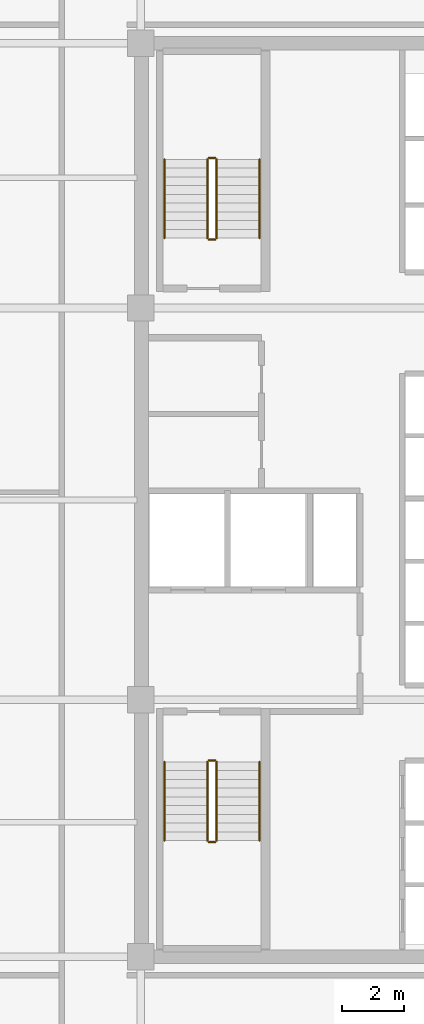
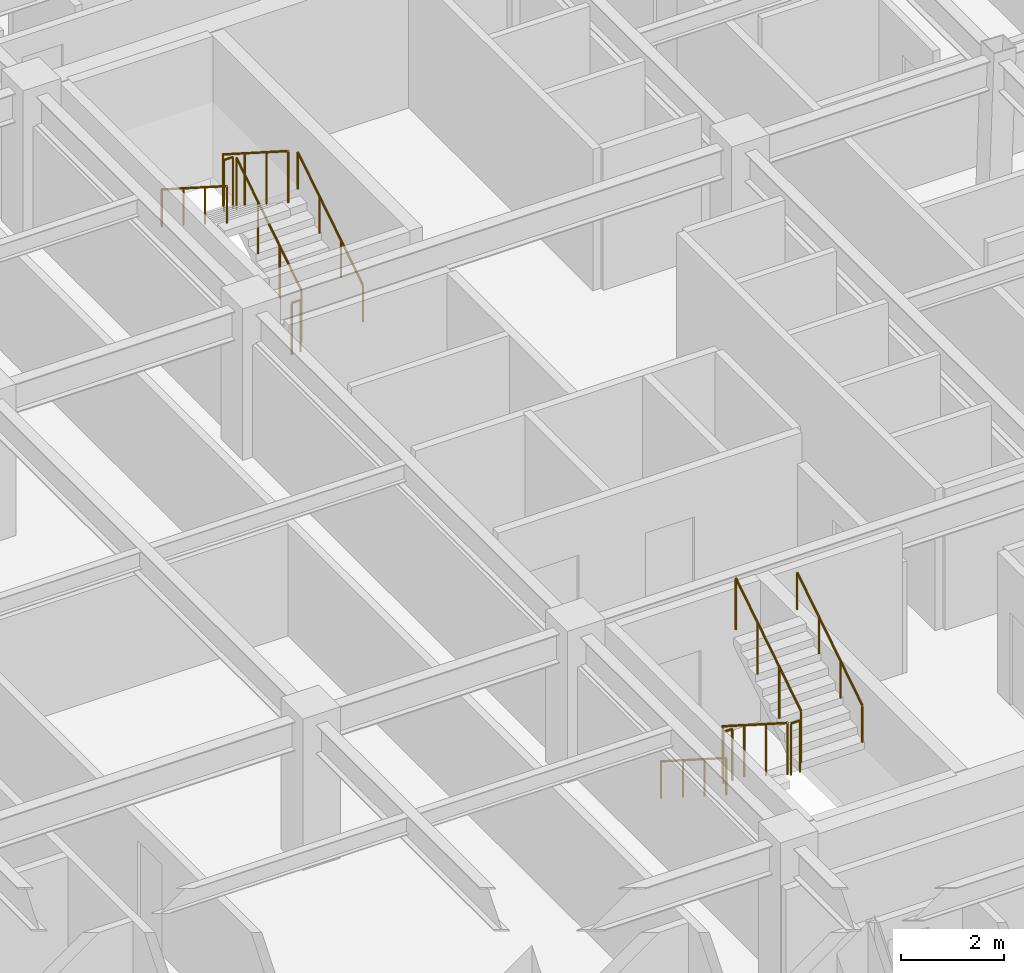
# One storey, part 12 of 12: 12 railings.
"""IFC4 building model written with IfcOpenShell, lengths in metres."""

from ifc_helpers import new_model, si_unit, direction, frame, origin, origin_2d, place, context, subcontext, project, spatial, circle, extrude, material, type_object, element, save


model = new_model("IFC4")

# Units and contexts
model_context = context("Model", 3, precision=1e-05, world=origin(), true_north=direction((0.0, 1.0)))
body_context = subcontext(model_context, "Body", "Model", "MODEL_VIEW")
ifc_project = project(units=[si_unit("LENGTHUNIT", "METRE"), si_unit("AREAUNIT", "SQUARE_METRE"), si_unit("VOLUMEUNIT", "CUBIC_METRE"), si_unit("PLANEANGLEUNIT", "RADIAN"), si_unit("MASSUNIT", "GRAM", prefix="KILO")], contexts=[model_context])

# Site, building, storey
site_placement = place(None, origin())
site = spatial("IfcSite", under=ifc_project, at=site_placement, CompositionType="ELEMENT")
building_placement = place(site_placement, origin())
building = spatial("IfcBuilding", under=site, at=building_placement, Name="Ochreholt Gables", CompositionType="ELEMENT")
storey_placement = place(building_placement, frame((0.0, 0.0, 27.60009765625)))
storey = spatial("IfcBuildingStorey", under=building, at=storey_placement, Name="L06", CompositionType="ELEMENT", Elevation=27.60009765625)

# Railings
ifc_material_1 = material(Name="Painted Steel Stair Guardrail", Category="steel")
railing_type_1 = type_object("IfcRailingType", Name="RL-ST-GUARD", PredefinedType="GUARDRAIL", material=ifc_material_1)
railing_1_placement = place(storey_placement, frame((26.35009765625, 15.5400390625, 0.179931640625)))
element("IfcRailing", 1, at=railing_1_placement, inside=storey, type_object=railing_type_1, Name="L06 ST-1 stair guard 1", PredefinedType="GUARDRAIL", context=body_context, shape_type="SweptSolid", body=[
    extrude(circle(Radius=0.02392578125, at=origin_2d()), frame((0.0, 0.0, 1.22607421875), z_axis=(0.0, -0.842949592929, 0.537992549931), x_axis=(1.0, 0.0, 0.0)), (0.0, 0.0, 1.0), 3.010986328125),
    extrude(circle(Radius=0.02099609375, at=origin_2d()), origin(), (0.0, 0.0, 1.0), 1.201904296875),
    extrude(circle(Radius=0.02099609375, at=origin_2d()), frame((0.0, -0.845947265625, 0.5400390625)), (0.0, 0.0, 1.0), 1.201904296875),
    extrude(circle(Radius=0.02099609375, at=origin_2d()), frame((0.0, -1.692138671875, 1.079833984375)), (0.0, 0.0, 1.0), 1.201904296875),
    extrude(circle(Radius=0.02099609375, at=origin_2d()), frame((0.0, -2.5380859375, 1.619873046875)), (0.0, 0.0, 1.0), 1.201904296875),
])
railing_2_placement = place(storey_placement, frame((26.39990234375, 12.951904296875, 1.7998046875)))
element("IfcRailing", 2, at=railing_2_placement, inside=storey, type_object=railing_type_1, Name="L06 ST-1 stair guard 2", PredefinedType="GUARDRAIL", context=body_context, shape_type="SweptSolid", body=[
    extrude(circle(Radius=0.02392578125, at=origin_2d()), frame((0.0, 0.0, 1.22607421875), z_axis=(1.0, 0.0, 0.0), x_axis=(0.0, 1.0, 0.0)), (0.0, 0.0, 1.0), 0.2001953125),
    extrude(circle(Radius=0.02099609375, at=origin_2d()), origin(), (0.0, 0.0, 1.0), 1.201904296875),
    extrude(circle(Radius=0.02099609375, at=origin_2d()), frame((0.2001953125, 0.0, 0.0)), (0.0, 0.0, 1.0), 1.201904296875),
])
railing_3_placement = place(storey_placement, frame((26.64990234375, 13.001953125, 1.97998046875)))
element("IfcRailing", 3, at=railing_3_placement, inside=storey, type_object=railing_type_1, Name="L06 ST-1 stair guard 3", PredefinedType="GUARDRAIL", context=body_context, shape_type="SweptSolid", body=[
    extrude(circle(Radius=0.02392578125, at=origin_2d()), frame((0.0, 0.0, 1.22607421875), z_axis=(0.0, 0.842949592929, 0.537992549931), x_axis=(-1.0, 0.0, 0.0)), (0.0, 0.0, 1.0), 3.010986328125),
    extrude(circle(Radius=0.02099609375, at=origin_2d()), origin(), (0.0, 0.0, 1.0), 1.201904296875),
    extrude(circle(Radius=0.02099609375, at=origin_2d()), frame((0.0, 0.845947265625, 0.5400390625)), (0.0, 0.0, 1.0), 1.201904296875),
    extrude(circle(Radius=0.02099609375, at=origin_2d()), frame((0.0, 1.692138671875, 1.079833984375)), (0.0, 0.0, 1.0), 1.201904296875),
    extrude(circle(Radius=0.02099609375, at=origin_2d()), frame((0.0, 2.5380859375, 1.619873046875)), (0.0, 0.0, 1.0), 1.201904296875),
])
railing_4_placement = place(storey_placement, frame((26.39990234375, 15.590087890625, 0.0)))
element("IfcRailing", 4, at=railing_4_placement, inside=storey, type_object=railing_type_1, Name="L06 ST-1 stair guard 4", PredefinedType="GUARDRAIL", context=body_context, shape_type="SweptSolid", body=[
    extrude(circle(Radius=0.02392578125, at=origin_2d()), frame((0.0, 0.0, 1.22607421875), z_axis=(1.0, 0.0, 0.0), x_axis=(0.0, 1.0, 0.0)), (0.0, 0.0, 1.0), 0.2001953125),
    extrude(circle(Radius=0.02099609375, at=origin_2d()), origin(), (0.0, 0.0, 1.0), 1.201904296875),
    extrude(circle(Radius=0.02099609375, at=origin_2d()), frame((0.2001953125, 0.0, 0.0)), (0.0, 0.0, 1.0), 1.201904296875),
])
railing_5_placement = place(storey_placement, frame((26.64990234375, 32.4599609375, 0.179931640625)))
element("IfcRailing", 5, at=railing_5_placement, inside=storey, type_object=railing_type_1, Name="L06 ST-2 stair guard 1", PredefinedType="GUARDRAIL", context=body_context, shape_type="SweptSolid", body=[
    extrude(circle(Radius=0.02392578125, at=origin_2d()), frame((0.0, 0.0, 1.22607421875), z_axis=(0.0, 0.842949592929, 0.537992549931), x_axis=(-1.0, 0.0, 0.0)), (0.0, 0.0, 1.0), 3.010986328125),
    extrude(circle(Radius=0.02099609375, at=origin_2d()), origin(), (0.0, 0.0, 1.0), 1.201904296875),
    extrude(circle(Radius=0.02099609375, at=origin_2d()), frame((0.0, 0.845947265625, 0.5400390625)), (0.0, 0.0, 1.0), 1.201904296875),
    extrude(circle(Radius=0.02099609375, at=origin_2d()), frame((0.0, 1.692138671875, 1.079833984375)), (0.0, 0.0, 1.0), 1.201904296875),
    extrude(circle(Radius=0.02099609375, at=origin_2d()), frame((0.0, 2.5380859375, 1.619873046875)), (0.0, 0.0, 1.0), 1.201904296875),
])
railing_6_placement = place(storey_placement, frame((26.60009765625, 35.048095703125, 1.7998046875)))
element("IfcRailing", 6, at=railing_6_placement, inside=storey, type_object=railing_type_1, Name="L06 ST-2 stair guard 2", PredefinedType="GUARDRAIL", context=body_context, shape_type="SweptSolid", body=[
    extrude(circle(Radius=0.02392578125, at=origin_2d()), frame((0.0, 0.0, 1.22607421875), z_axis=(-1.0, 0.0, 0.0), x_axis=(0.0, -1.0, 0.0)), (0.0, 0.0, 1.0), 0.2001953125),
    extrude(circle(Radius=0.02099609375, at=origin_2d()), origin(), (0.0, 0.0, 1.0), 1.201904296875),
    extrude(circle(Radius=0.02099609375, at=origin_2d()), frame((-0.2001953125, 0.0, 0.0)), (0.0, 0.0, 1.0), 1.201904296875),
])
railing_7_placement = place(storey_placement, frame((26.35009765625, 34.998046875, 1.97998046875)))
element("IfcRailing", 7, at=railing_7_placement, inside=storey, type_object=railing_type_1, Name="L06 ST-2 stair guard 3", PredefinedType="GUARDRAIL", context=body_context, shape_type="SweptSolid", body=[
    extrude(circle(Radius=0.02392578125, at=origin_2d()), frame((0.0, 0.0, 1.22607421875), z_axis=(0.0, -0.842949592929, 0.537992549931), x_axis=(1.0, 0.0, 0.0)), (0.0, 0.0, 1.0), 3.010986328125),
    extrude(circle(Radius=0.02099609375, at=origin_2d()), origin(), (0.0, 0.0, 1.0), 1.201904296875),
    extrude(circle(Radius=0.02099609375, at=origin_2d()), frame((0.0, -0.845947265625, 0.5400390625)), (0.0, 0.0, 1.0), 1.201904296875),
    extrude(circle(Radius=0.02099609375, at=origin_2d()), frame((0.0, -1.692138671875, 1.079833984375)), (0.0, 0.0, 1.0), 1.201904296875),
    extrude(circle(Radius=0.02099609375, at=origin_2d()), frame((0.0, -2.5380859375, 1.619873046875)), (0.0, 0.0, 1.0), 1.201904296875),
])
railing_8_placement = place(storey_placement, frame((26.60009765625, 32.409912109375, 0.0)))
element("IfcRailing", 8, at=railing_8_placement, inside=storey, type_object=railing_type_1, Name="L06 ST-2 stair guard 4", PredefinedType="GUARDRAIL", context=body_context, shape_type="SweptSolid", body=[
    extrude(circle(Radius=0.02392578125, at=origin_2d()), frame((0.0, 0.0, 1.22607421875), z_axis=(-1.0, 0.0, 0.0), x_axis=(0.0, -1.0, 0.0)), (0.0, 0.0, 1.0), 0.2001953125),
    extrude(circle(Radius=0.02099609375, at=origin_2d()), origin(), (0.0, 0.0, 1.0), 1.201904296875),
    extrude(circle(Radius=0.02099609375, at=origin_2d()), frame((-0.2001953125, 0.0, 0.0)), (0.0, 0.0, 1.0), 1.201904296875),
])
ifc_material_2 = material(Name="Brushed Stainless Steel Wall Handrail", Category="steel")
railing_type_2 = type_object("IfcRailingType", Name="RL-ST-HAND", PredefinedType="HANDRAIL", material=ifc_material_2)
railing_9_placement = place(storey_placement, frame((24.969970703125, 15.5400390625, 0.179931640625)))
element("IfcRailing", 9, at=railing_9_placement, inside=storey, type_object=railing_type_2, Name="L06 ST-1 stair handrail 1", PredefinedType="HANDRAIL", context=body_context, shape_type="SweptSolid", body=[
    extrude(circle(Radius=0.02392578125, at=origin_2d()), frame((0.0, 0.0, 0.8759765625), z_axis=(0.0, -0.842949592929, 0.537992549931), x_axis=(1.0, 0.0, 0.0)), (0.0, 0.0, 1.0), 3.010986328125),
    extrude(circle(Radius=0.02099609375, at=origin_2d()), origin(), (0.0, 0.0, 1.0), 0.851806640625),
    extrude(circle(Radius=0.02099609375, at=origin_2d()), frame((0.0, -0.845947265625, 0.5400390625)), (0.0, 0.0, 1.0), 0.851806640625),
    extrude(circle(Radius=0.02099609375, at=origin_2d()), frame((0.0, -1.692138671875, 1.079833984375)), (0.0, 0.0, 1.0), 0.851806640625),
    extrude(circle(Radius=0.02099609375, at=origin_2d()), frame((0.0, -2.5380859375, 1.619873046875)), (0.0, 0.0, 1.0), 0.851806640625),
])
for number, where, name in (
    (10, (28.030029296875, 13.001953125, 1.97998046875), "L06 ST-1 stair handrail 2"),
    (11, (28.030029296875, 32.4599609375, 0.179931640625), "L06 ST-2 stair handrail 1"),
):
    element("IfcRailing", number, at=place(storey_placement, frame(where)), inside=storey, type_object=railing_type_2, Name=name, PredefinedType="HANDRAIL", context=body_context, shape_type="SweptSolid", body=[
        extrude(circle(Radius=0.02392578125, at=origin_2d()), frame((0.0, 0.0, 0.8759765625), z_axis=(0.0, 0.842949592929, 0.537992549931), x_axis=(-1.0, 0.0, 0.0)), (0.0, 0.0, 1.0), 3.010986328125),
        extrude(circle(Radius=0.02099609375, at=origin_2d()), origin(), (0.0, 0.0, 1.0), 0.851806640625),
        extrude(circle(Radius=0.02099609375, at=origin_2d()), frame((0.0, 0.845947265625, 0.5400390625)), (0.0, 0.0, 1.0), 0.851806640625),
        extrude(circle(Radius=0.02099609375, at=origin_2d()), frame((0.0, 1.692138671875, 1.079833984375)), (0.0, 0.0, 1.0), 0.851806640625),
        extrude(circle(Radius=0.02099609375, at=origin_2d()), frame((0.0, 2.5380859375, 1.619873046875)), (0.0, 0.0, 1.0), 0.851806640625),
    ])
railing_10_placement = place(storey_placement, frame((24.969970703125, 34.998046875, 1.97998046875)))
element("IfcRailing", 12, at=railing_10_placement, inside=storey, type_object=railing_type_2, Name="L06 ST-2 stair handrail 2", PredefinedType="HANDRAIL", context=body_context, shape_type="SweptSolid", body=[
    extrude(circle(Radius=0.02392578125, at=origin_2d()), frame((0.0, 0.0, 0.8759765625), z_axis=(0.0, -0.842949592929, 0.537992549931), x_axis=(1.0, 0.0, 0.0)), (0.0, 0.0, 1.0), 3.010986328125),
    extrude(circle(Radius=0.02099609375, at=origin_2d()), origin(), (0.0, 0.0, 1.0), 0.851806640625),
    extrude(circle(Radius=0.02099609375, at=origin_2d()), frame((0.0, -0.845947265625, 0.5400390625)), (0.0, 0.0, 1.0), 0.851806640625),
    extrude(circle(Radius=0.02099609375, at=origin_2d()), frame((0.0, -1.692138671875, 1.079833984375)), (0.0, 0.0, 1.0), 0.851806640625),
    extrude(circle(Radius=0.02099609375, at=origin_2d()), frame((0.0, -2.5380859375, 1.619873046875)), (0.0, 0.0, 1.0), 0.851806640625),
])

save(model, "model.ifc")
